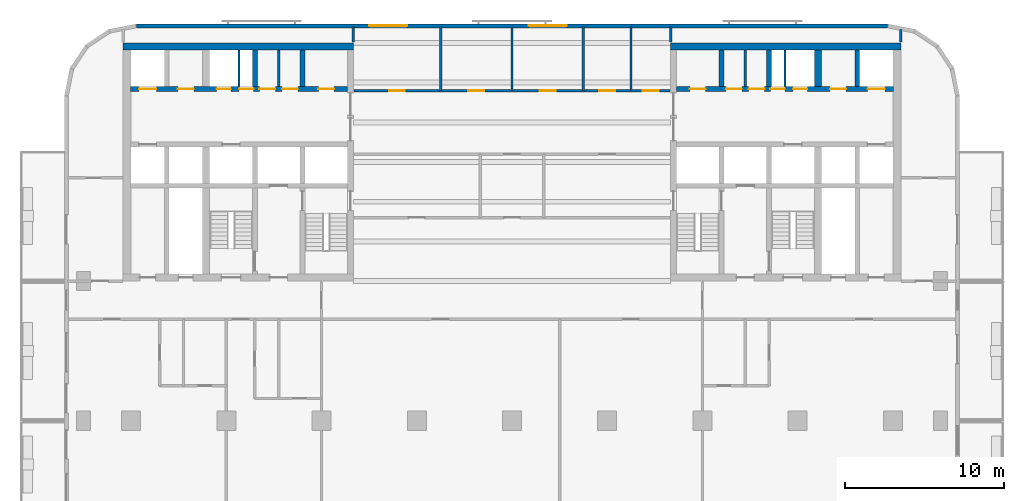
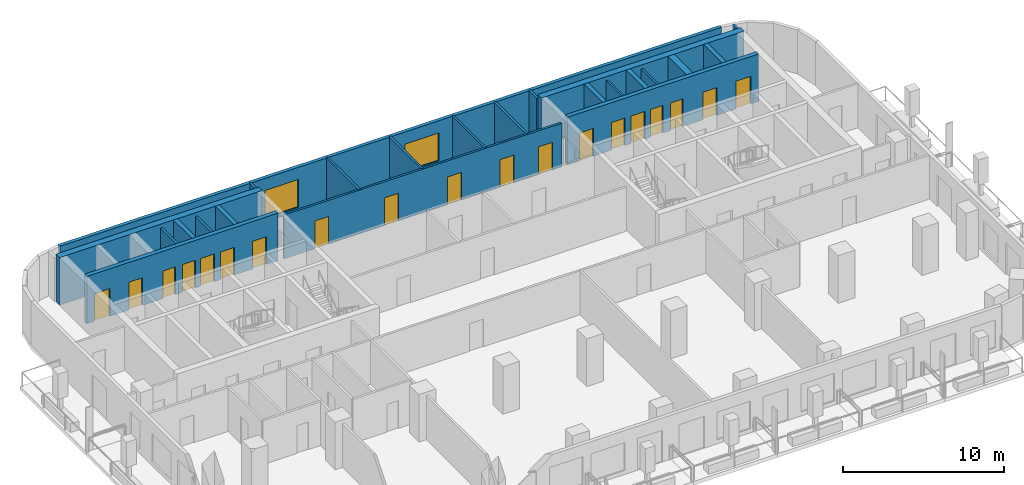
# One storey, part 6 of 11: 23 walls, 19 doors, 2 windows, 21 openings.
"""IFC4 building model written with IfcOpenShell, lengths in metres."""

from ifc_helpers import new_model, si_unit, direction, frame, frame_2d, origin, place, context, subcontext, project, spatial, rectangle, extrude, material, layer, layer_set, type_object, element, fill, save


model = new_model("IFC4")

# Units and contexts
model_context = context("Model", 3, precision=1e-05, world=origin(), true_north=direction((0.0, 1.0)))
body_context = subcontext(model_context, "Body", "Model", "MODEL_VIEW")
ifc_project = project(units=[si_unit("LENGTHUNIT", "METRE"), si_unit("AREAUNIT", "SQUARE_METRE"), si_unit("VOLUMEUNIT", "CUBIC_METRE"), si_unit("PLANEANGLEUNIT", "RADIAN"), si_unit("MASSUNIT", "GRAM", prefix="KILO")], contexts=[model_context])

# Site, building, storey
site_placement = place(None, origin())
site = spatial("IfcSite", under=ifc_project, at=site_placement, CompositionType="ELEMENT")
building_placement = place(site_placement, origin())
building = spatial("IfcBuilding", under=site, at=building_placement, Name="Torana Hotel and Residences", CompositionType="ELEMENT")
storey_placement = place(building_placement, frame((0.0, 0.0, 170.39990234375)))
storey = spatial("IfcBuildingStorey", under=building, at=storey_placement, Name="L44", CompositionType="ELEMENT", Elevation=170.39990234375)

# Wall, openings, doors
ifc_material_1 = material(Name="Concrete C70/85", Category="concrete")
ifc_layer_1 = layer(ifc_material_1, 0.300048828125)
ifc_layer_set_1 = layer_set([ifc_layer_1], Name="CORE WALL 300 C70/85")
wall_type_1 = type_object("IfcWallType", Name="CORE WALL 300 C70/85", PredefinedType="SHEAR", material=ifc_layer_set_1)
wall_1_placement = place(storey_placement, frame((-24.050048828125, -2.89990234375, 0.0), z_axis=(0.0, 0.0, 1.0), x_axis=(1.0, 0.0, 0.0)))
wall_1 = element("IfcWall", 1, at=wall_1_placement, inside=storey, type_object=wall_type_1, Name="Core wall W row-N", PredefinedType="SHEAR", context=body_context, shape_type="SweptSolid", body=[
    extrude(rectangle(XDim=13.699951171875, YDim=0.300048828125, at=frame_2d((6.85009765625, 0.0))), origin(), (0.0, 0.0, 1.0), 3.60009765625),
])
opening_1_placement = place(wall_1_placement, frame((0.550048828125, 0.0, 0.0)))
opening_1 = element("IfcOpeningElement", 2, at=opening_1_placement, cuts=wall_1, Name="Opening LD", PredefinedType="OPENING", context=body_context, shape_type="SweptSolid", body=[
    extrude(rectangle(XDim=1.10009765625, YDim=2.10009765625, at=frame_2d((0.550048828125, 1.050048828125))), frame((0.0, 0.159912109375, 0.0), z_axis=(0.0, -1.0, 0.0), x_axis=(1.0, 0.0, 0.0)), (0.0, 0.0, 1.0), 0.320068359375),
])
opening_2_placement = place(wall_1_placement, frame((6.862548828125, 0.0, 0.0)))
opening_2 = element("IfcOpeningElement", 3, at=opening_2_placement, cuts=wall_1, Name="Opening L44-08", PredefinedType="OPENING", context=body_context, shape_type="SweptSolid", body=[
    extrude(rectangle(XDim=0.89990234375, YDim=2.10009765625, at=frame_2d((0.449951171875, 1.050048828125))), frame((0.0, 0.159912109375, 0.0), z_axis=(0.0, -1.0, 0.0), x_axis=(1.0, 0.0, 0.0)), (0.0, 0.0, 1.0), 0.320068359375),
])
opening_3_placement = place(wall_1_placement, frame((5.4375, 0.0, 0.0)))
opening_3 = element("IfcOpeningElement", 4, at=opening_3_placement, cuts=wall_1, Name="Opening L44-09", PredefinedType="OPENING", context=body_context, shape_type="SweptSolid", body=[
    extrude(rectangle(XDim=0.89990234375, YDim=2.10009765625, at=frame_2d((0.449951171875, 1.050048828125))), frame((0.0, 0.159912109375, 0.0), z_axis=(0.0, -1.0, 0.0), x_axis=(1.0, 0.0, 0.0)), (0.0, 0.0, 1.0), 0.320068359375),
])
opening_4_placement = place(wall_1_placement, frame((11.85009765625, 0.0, 0.0)))
opening_4 = element("IfcOpeningElement", 5, at=opening_4_placement, cuts=wall_1, Name="Opening L44-10", PredefinedType="OPENING", context=body_context, shape_type="SweptSolid", body=[
    extrude(rectangle(XDim=1.0, YDim=2.10009765625, at=frame_2d((0.5, 1.050048828125))), frame((0.0, 0.159912109375, 0.0), z_axis=(0.0, -1.0, 0.0), x_axis=(1.0, 0.0, 0.0)), (0.0, 0.0, 1.0), 0.320068359375),
])
opening_5_placement = place(wall_1_placement, frame((9.5625, 0.0, 0.0)))
opening_5 = element("IfcOpeningElement", 6, at=opening_5_placement, cuts=wall_1, Name="Opening L44-11", PredefinedType="OPENING", context=body_context, shape_type="SweptSolid", body=[
    extrude(rectangle(XDim=1.0, YDim=2.10009765625, at=frame_2d((0.5, 1.050048828125))), frame((0.0, 0.159912109375, 0.0), z_axis=(0.0, -1.0, 0.0), x_axis=(1.0, 0.0, 0.0)), (0.0, 0.0, 1.0), 0.320068359375),
])
opening_6_placement = place(wall_1_placement, frame((8.137451171875, 0.0, 0.0)))
opening_6 = element("IfcOpeningElement", 7, at=opening_6_placement, cuts=wall_1, Name="Opening L44-12", PredefinedType="OPENING", context=body_context, shape_type="SweptSolid", body=[
    extrude(rectangle(XDim=1.0, YDim=2.10009765625, at=frame_2d((0.5, 1.050048828125))), frame((0.0, 0.159912109375, 0.0), z_axis=(0.0, -1.0, 0.0), x_axis=(1.0, 0.0, 0.0)), (0.0, 0.0, 1.0), 0.320068359375),
])
opening_7_placement = place(wall_1_placement, frame((3.0, 0.0, 0.0)))
opening_7 = element("IfcOpeningElement", 8, at=opening_7_placement, cuts=wall_1, Name="Opening L44-13", PredefinedType="OPENING", context=body_context, shape_type="SweptSolid", body=[
    extrude(rectangle(XDim=1.0, YDim=2.10009765625, at=frame_2d((0.5, 1.050048828125))), frame((0.0, 0.159912109375, 0.0), z_axis=(0.0, -1.0, 0.0), x_axis=(1.0, 0.0, 0.0)), (0.0, 0.0, 1.0), 0.320068359375),
])
ifc_material_2 = material(Name="Steel S235", Category="steel")
door_type_1 = type_object("IfcDoorType", Name="CORE ROOM FIRE DOOR D14 1000x2100", OperationType="SINGLE_SWING_LEFT", PredefinedType="DOOR", material=ifc_material_2)
door_1_placement = place(opening_4_placement, origin())
door_1 = element("IfcDoor", 9, at=door_1_placement, inside=storey, type_object=door_type_1, Name="N0 door L44", OperationType="SINGLE_SWING_RIGHT", OverallHeight=2.10009765625, OverallWidth=1.0, PredefinedType="DOOR", context=body_context, shape_type="SweptSolid", body=[
    extrude(rectangle(XDim=1.0, YDim=2.10009765625, at=frame_2d((0.5, 1.050048828125))), frame((0.0, 0.02490234375, 0.0), z_axis=(0.0, -1.0, 0.0), x_axis=(1.0, 0.0, 0.0)), (0.0, 0.0, 1.0), 0.050048828125),
])
fill(opening_4, door_1)
door_2_placement = place(opening_5_placement, origin())
door_2 = element("IfcDoor", 10, at=door_2_placement, inside=storey, type_object=door_type_1, Name="N1A door L44", OperationType="SINGLE_SWING_RIGHT", OverallHeight=2.10009765625, OverallWidth=1.0, PredefinedType="DOOR", context=body_context, shape_type="SweptSolid", body=[
    extrude(rectangle(XDim=1.0, YDim=2.10009765625, at=frame_2d((0.5, 1.050048828125))), frame((0.0, 0.02490234375, 0.0), z_axis=(0.0, -1.0, 0.0), x_axis=(1.0, 0.0, 0.0)), (0.0, 0.0, 1.0), 0.050048828125),
])
fill(opening_5, door_2)
door_3_placement = place(opening_6_placement, origin())
door_3 = element("IfcDoor", 11, at=door_3_placement, inside=storey, type_object=door_type_1, Name="N1B door L44", OperationType="SINGLE_SWING_RIGHT", OverallHeight=2.10009765625, OverallWidth=1.0, PredefinedType="DOOR", context=body_context, shape_type="SweptSolid", body=[
    extrude(rectangle(XDim=1.0, YDim=2.10009765625, at=frame_2d((0.5, 1.050048828125))), frame((0.0, 0.02490234375, 0.0), z_axis=(0.0, -1.0, 0.0), x_axis=(1.0, 0.0, 0.0)), (0.0, 0.0, 1.0), 0.050048828125),
])
fill(opening_6, door_3)
door_4_placement = place(opening_7_placement, origin())
door_4 = element("IfcDoor", 12, at=door_4_placement, inside=storey, type_object=door_type_1, Name="Freed-S1 door L44", OperationType="SINGLE_SWING_RIGHT", OverallHeight=2.10009765625, OverallWidth=1.0, PredefinedType="DOOR", context=body_context, shape_type="SweptSolid", body=[
    extrude(rectangle(XDim=1.0, YDim=2.10009765625, at=frame_2d((0.5, 1.050048828125))), frame((0.0, 0.02490234375, 0.0), z_axis=(0.0, -1.0, 0.0), x_axis=(1.0, 0.0, 0.0)), (0.0, 0.0, 1.0), 0.050048828125),
])
fill(opening_7, door_4)
ifc_material_3 = material(Name="Stainless steel 316", Category="steel")
door_type_2 = type_object("IfcDoorType", Name="LIFT LANDING DOOR LD 1100x2100", OperationType="DOUBLE_DOOR_SLIDING", PredefinedType="USERDEFINED", material=ifc_material_3)
door_5_placement = place(opening_1_placement, origin())
door_5 = element("IfcDoor", 13, at=door_5_placement, inside=storey, type_object=door_type_2, Name="Lift landing door M1 L44", ObjectType="LIFT LANDING DOOR", OperationType="DOUBLE_DOOR_SLIDING", OverallHeight=2.10009765625, OverallWidth=1.10009765625, PredefinedType="USERDEFINED", context=body_context, shape_type="SweptSolid", body=[
    extrude(rectangle(XDim=1.10009765625, YDim=2.10009765625, at=frame_2d((0.550048828125, 1.050048828125))), frame((0.0, 0.02490234375, 0.0), z_axis=(0.0, -1.0, 0.0), x_axis=(1.0, 0.0, 0.0)), (0.0, 0.0, 1.0), 0.050048828125),
])
fill(opening_1, door_5)
ifc_material_4 = material(Name="Steel S235", Category="steel")
door_type_3 = type_object("IfcDoorType", Name="RISER ACCESS DOOR D5 900x2100", OperationType="SINGLE_SWING_LEFT", PredefinedType="DOOR", material=ifc_material_4)
door_6_placement = place(opening_2_placement, origin())
door_6 = element("IfcDoor", 14, at=door_6_placement, inside=storey, type_object=door_type_3, Name="N2A door L44", OperationType="SINGLE_SWING_LEFT", OverallHeight=2.10009765625, OverallWidth=0.89990234375, PredefinedType="DOOR", context=body_context, shape_type="SweptSolid", body=[
    extrude(rectangle(XDim=0.89990234375, YDim=2.10009765625, at=frame_2d((0.449951171875, 1.050048828125))), frame((0.0, 0.02490234375, 0.0), z_axis=(0.0, -1.0, 0.0), x_axis=(1.0, 0.0, 0.0)), (0.0, 0.0, 1.0), 0.050048828125),
])
fill(opening_2, door_6)
door_7_placement = place(opening_3_placement, origin())
door_7 = element("IfcDoor", 15, at=door_7_placement, inside=storey, type_object=door_type_3, Name="N2B door L44", OperationType="SINGLE_SWING_RIGHT", OverallHeight=2.10009765625, OverallWidth=0.89990234375, PredefinedType="DOOR", context=body_context, shape_type="SweptSolid", body=[
    extrude(rectangle(XDim=0.89990234375, YDim=2.10009765625, at=frame_2d((0.449951171875, 1.050048828125))), frame((0.0, 0.02490234375, 0.0), z_axis=(0.0, -1.0, 0.0), x_axis=(1.0, 0.0, 0.0)), (0.0, 0.0, 1.0), 0.050048828125),
])
fill(opening_3, door_7)

# Walls
for number, where, z_axis, x_axis, name in (
    (16, (-13.199951171875, -2.75, 0.0), (0.0, 0.0, 1.0), (0.0, 1.0, 0.0), "Core wall W x3.05-N"),
    (17, (-16.199951171875, -2.75, 0.0), (0.0, 0.0, 1.0), (0.0, 1.0, 0.0), "Core wall W x6.05-N"),
):
    element("IfcWall", number, at=place(storey_placement, frame(where, z_axis=z_axis, x_axis=x_axis)), inside=storey, type_object=wall_type_1, Name=name, PredefinedType="SHEAR", context=body_context, shape_type="SweptSolid", body=[
        extrude(rectangle(XDim=2.300048828125, YDim=0.300048828125, at=frame_2d((1.14990234375, 0.0))), origin(), (0.0, 0.0, 1.0), 3.60009765625),
    ])

# Wall, openings, doors
wall_2_placement = place(storey_placement, frame((10.35009765625, -2.89990234375, 0.0), z_axis=(0.0, 0.0, 1.0), x_axis=(1.0, 0.0, 0.0)))
wall_2 = element("IfcWall", 18, at=wall_2_placement, inside=storey, type_object=wall_type_1, Name="Core wall E row-N", PredefinedType="SHEAR", context=body_context, shape_type="SweptSolid", body=[
    extrude(rectangle(XDim=13.699951171875, YDim=0.300048828125, at=frame_2d((6.85009765625, 0.0))), origin(), (0.0, 0.0, 1.0), 3.60009765625),
])
opening_8_placement = place(wall_2_placement, frame((12.050048828125, 0.0, 0.0)))
opening_8 = element("IfcOpeningElement", 19, at=opening_8_placement, cuts=wall_2, Name="Opening LD", PredefinedType="OPENING", context=body_context, shape_type="SweptSolid", body=[
    extrude(rectangle(XDim=1.10009765625, YDim=2.10009765625, at=frame_2d((0.550048828125, 1.050048828125))), frame((0.0, 0.159912109375, 0.0), z_axis=(0.0, -1.0, 0.0), x_axis=(1.0, 0.0, 0.0)), (0.0, 0.0, 1.0), 0.320068359375),
])
opening_9_placement = place(wall_2_placement, frame((5.9375, 0.0, 0.0)))
opening_9 = element("IfcOpeningElement", 20, at=opening_9_placement, cuts=wall_2, Name="Opening L44-23", PredefinedType="OPENING", context=body_context, shape_type="SweptSolid", body=[
    extrude(rectangle(XDim=0.89990234375, YDim=2.10009765625, at=frame_2d((0.449951171875, 1.050048828125))), frame((0.0, 0.159912109375, 0.0), z_axis=(0.0, -1.0, 0.0), x_axis=(1.0, 0.0, 0.0)), (0.0, 0.0, 1.0), 0.320068359375),
])
opening_10_placement = place(wall_2_placement, frame((7.362548828125, 0.0, 0.0)))
opening_10 = element("IfcOpeningElement", 21, at=opening_10_placement, cuts=wall_2, Name="Opening L44-24", PredefinedType="OPENING", context=body_context, shape_type="SweptSolid", body=[
    extrude(rectangle(XDim=0.89990234375, YDim=2.10009765625, at=frame_2d((0.449951171875, 1.050048828125))), frame((0.0, 0.159912109375, 0.0), z_axis=(0.0, -1.0, 0.0), x_axis=(1.0, 0.0, 0.0)), (0.0, 0.0, 1.0), 0.320068359375),
])
opening_11_placement = place(wall_2_placement, frame((0.85009765625, 0.0, 0.0)))
opening_11 = element("IfcOpeningElement", 22, at=opening_11_placement, cuts=wall_2, Name="Opening L44-25", PredefinedType="OPENING", context=body_context, shape_type="SweptSolid", body=[
    extrude(rectangle(XDim=1.0, YDim=2.10009765625, at=frame_2d((0.5, 1.050048828125))), frame((0.0, 0.159912109375, 0.0), z_axis=(0.0, -1.0, 0.0), x_axis=(1.0, 0.0, 0.0)), (0.0, 0.0, 1.0), 0.320068359375),
])
opening_12_placement = place(wall_2_placement, frame((3.137451171875, 0.0, 0.0)))
opening_12 = element("IfcOpeningElement", 23, at=opening_12_placement, cuts=wall_2, Name="Opening L44-26", PredefinedType="OPENING", context=body_context, shape_type="SweptSolid", body=[
    extrude(rectangle(XDim=1.0, YDim=2.10009765625, at=frame_2d((0.5, 1.050048828125))), frame((0.0, 0.159912109375, 0.0), z_axis=(0.0, -1.0, 0.0), x_axis=(1.0, 0.0, 0.0)), (0.0, 0.0, 1.0), 0.320068359375),
])
opening_13_placement = place(wall_2_placement, frame((4.5625, 0.0, 0.0)))
opening_13 = element("IfcOpeningElement", 24, at=opening_13_placement, cuts=wall_2, Name="Opening L44-27", PredefinedType="OPENING", context=body_context, shape_type="SweptSolid", body=[
    extrude(rectangle(XDim=1.0, YDim=2.10009765625, at=frame_2d((0.5, 1.050048828125))), frame((0.0, 0.159912109375, 0.0), z_axis=(0.0, -1.0, 0.0), x_axis=(1.0, 0.0, 0.0)), (0.0, 0.0, 1.0), 0.320068359375),
])
opening_14_placement = place(wall_2_placement, frame((9.699951171875, 0.0, 0.0)))
opening_14 = element("IfcOpeningElement", 25, at=opening_14_placement, cuts=wall_2, Name="Opening L44-28", PredefinedType="OPENING", context=body_context, shape_type="SweptSolid", body=[
    extrude(rectangle(XDim=1.0, YDim=2.10009765625, at=frame_2d((0.5, 1.050048828125))), frame((0.0, 0.159912109375, 0.0), z_axis=(0.0, -1.0, 0.0), x_axis=(1.0, 0.0, 0.0)), (0.0, 0.0, 1.0), 0.320068359375),
])
door_8_placement = place(opening_11_placement, origin())
door_8 = element("IfcDoor", 26, at=door_8_placement, inside=storey, type_object=door_type_1, Name="N0 door L44", OperationType="SINGLE_SWING_RIGHT", OverallHeight=2.10009765625, OverallWidth=1.0, PredefinedType="DOOR", context=body_context, shape_type="SweptSolid", body=[
    extrude(rectangle(XDim=1.0, YDim=2.10009765625, at=frame_2d((0.5, 1.050048828125))), frame((0.0, 0.02490234375, 0.0), z_axis=(0.0, -1.0, 0.0), x_axis=(1.0, 0.0, 0.0)), (0.0, 0.0, 1.0), 0.050048828125),
])
fill(opening_11, door_8)
door_9_placement = place(opening_12_placement, origin())
door_9 = element("IfcDoor", 27, at=door_9_placement, inside=storey, type_object=door_type_1, Name="N1A door L44", OperationType="SINGLE_SWING_RIGHT", OverallHeight=2.10009765625, OverallWidth=1.0, PredefinedType="DOOR", context=body_context, shape_type="SweptSolid", body=[
    extrude(rectangle(XDim=1.0, YDim=2.10009765625, at=frame_2d((0.5, 1.050048828125))), frame((0.0, 0.02490234375, 0.0), z_axis=(0.0, -1.0, 0.0), x_axis=(1.0, 0.0, 0.0)), (0.0, 0.0, 1.0), 0.050048828125),
])
fill(opening_12, door_9)
door_10_placement = place(opening_13_placement, origin())
door_10 = element("IfcDoor", 28, at=door_10_placement, inside=storey, type_object=door_type_1, Name="N1B door L44", OperationType="SINGLE_SWING_RIGHT", OverallHeight=2.10009765625, OverallWidth=1.0, PredefinedType="DOOR", context=body_context, shape_type="SweptSolid", body=[
    extrude(rectangle(XDim=1.0, YDim=2.10009765625, at=frame_2d((0.5, 1.050048828125))), frame((0.0, 0.02490234375, 0.0), z_axis=(0.0, -1.0, 0.0), x_axis=(1.0, 0.0, 0.0)), (0.0, 0.0, 1.0), 0.050048828125),
])
fill(opening_13, door_10)
door_11_placement = place(opening_14_placement, origin())
door_11 = element("IfcDoor", 29, at=door_11_placement, inside=storey, type_object=door_type_1, Name="Freed-S2 door L44", OperationType="SINGLE_SWING_RIGHT", OverallHeight=2.10009765625, OverallWidth=1.0, PredefinedType="DOOR", context=body_context, shape_type="SweptSolid", body=[
    extrude(rectangle(XDim=1.0, YDim=2.10009765625, at=frame_2d((0.5, 1.050048828125))), frame((0.0, 0.02490234375, 0.0), z_axis=(0.0, -1.0, 0.0), x_axis=(1.0, 0.0, 0.0)), (0.0, 0.0, 1.0), 0.050048828125),
])
fill(opening_14, door_11)
door_12_placement = place(opening_8_placement, origin())
door_12 = element("IfcDoor", 30, at=door_12_placement, inside=storey, type_object=door_type_2, Name="Lift landing door M3 L44", ObjectType="LIFT LANDING DOOR", OperationType="DOUBLE_DOOR_SLIDING", OverallHeight=2.10009765625, OverallWidth=1.10009765625, PredefinedType="USERDEFINED", context=body_context, shape_type="SweptSolid", body=[
    extrude(rectangle(XDim=1.10009765625, YDim=2.10009765625, at=frame_2d((0.550048828125, 1.050048828125))), frame((0.0, 0.02490234375, 0.0), z_axis=(0.0, -1.0, 0.0), x_axis=(1.0, 0.0, 0.0)), (0.0, 0.0, 1.0), 0.050048828125),
])
fill(opening_8, door_12)
door_13_placement = place(opening_9_placement, origin())
door_13 = element("IfcDoor", 31, at=door_13_placement, inside=storey, type_object=door_type_3, Name="N2A door L44", OperationType="SINGLE_SWING_RIGHT", OverallHeight=2.10009765625, OverallWidth=0.89990234375, PredefinedType="DOOR", context=body_context, shape_type="SweptSolid", body=[
    extrude(rectangle(XDim=0.89990234375, YDim=2.10009765625, at=frame_2d((0.449951171875, 1.050048828125))), frame((0.0, 0.02490234375, 0.0), z_axis=(0.0, -1.0, 0.0), x_axis=(1.0, 0.0, 0.0)), (0.0, 0.0, 1.0), 0.050048828125),
])
fill(opening_9, door_13)
door_14_placement = place(opening_10_placement, origin())
door_14 = element("IfcDoor", 32, at=door_14_placement, inside=storey, type_object=door_type_3, Name="N2B door L44", OperationType="SINGLE_SWING_RIGHT", OverallHeight=2.10009765625, OverallWidth=0.89990234375, PredefinedType="DOOR", context=body_context, shape_type="SweptSolid", body=[
    extrude(rectangle(XDim=0.89990234375, YDim=2.10009765625, at=frame_2d((0.449951171875, 1.050048828125))), frame((0.0, 0.02490234375, 0.0), z_axis=(0.0, -1.0, 0.0), x_axis=(1.0, 0.0, 0.0)), (0.0, 0.0, 1.0), 0.050048828125),
])
fill(opening_10, door_14)

# Walls
for number, where, z_axis, x_axis, name in (
    (33, (13.199951171875, -2.75, 0.0), (0.0, 0.0, 1.0), (0.0, 1.0, 0.0), "Core wall E x3.05-N"),
    (34, (16.199951171875, -2.75, 0.0), (0.0, 0.0, 1.0), (0.0, 1.0, 0.0), "Core wall E x6.05-N"),
    (35, (21.75, -2.75, 0.0), (0.0, 0.0, 1.0), (0.0, 1.0, 0.0), "Core wall E mm-N"),
):
    element("IfcWall", number, at=place(storey_placement, frame(where, z_axis=z_axis, x_axis=x_axis)), inside=storey, type_object=wall_type_1, Name=name, PredefinedType="SHEAR", context=body_context, shape_type="SweptSolid", body=[
        extrude(rectangle(XDim=2.300048828125, YDim=0.300048828125, at=frame_2d((1.14990234375, 0.0))), origin(), (0.0, 0.0, 1.0), 3.60009765625),
    ])
ifc_material_5 = material(Name="Concrete C70/85", Category="concrete")
ifc_layer_2 = layer(ifc_material_5, 0.449951171875)
ifc_layer_set_2 = layer_set([ifc_layer_2], Name="CORE WALL 450 C70/85")
wall_type_2 = type_object("IfcWallType", Name="CORE WALL 450 C70/85", PredefinedType="SHEAR", material=ifc_layer_set_2)
for number, where, z_axis, x_axis, name in (
    (36, (-24.5, -0.22509765625, 0.0), (0.0, 0.0, 1.0), (1.0, 0.0, 0.0), "Core wall W rear"),
    (37, (10.0, -0.22509765625, 0.0), (0.0, 0.0, 1.0), (1.0, 0.0, 0.0), "Core wall E rear"),
):
    element("IfcWall", number, at=place(storey_placement, frame(where, z_axis=z_axis, x_axis=x_axis)), inside=storey, type_object=wall_type_2, Name=name, PredefinedType="SHEAR", context=body_context, shape_type="SweptSolid", body=[
        extrude(rectangle(XDim=14.5, YDim=0.449951171875, at=frame_2d((7.25, 0.0))), origin(), (0.0, 0.0, 1.0), 3.60009765625),
    ])
wall_3_placement = place(storey_placement, frame((19.27490234375, -2.75, 0.0), z_axis=(0.0, 0.0, 1.0), x_axis=(0.0, 1.0, 0.0)))
element("IfcWall", 38, at=wall_3_placement, inside=storey, type_object=wall_type_2, Name="Core wall E hm-N", PredefinedType="SHEAR", context=body_context, shape_type="SweptSolid", body=[
    extrude(rectangle(XDim=2.300048828125, YDim=0.449951171875, at=frame_2d((1.14990234375, 0.0))), origin(), (0.0, 0.0, 1.0), 3.60009765625),
])

# Wall, openings, windows
ifc_material_6 = material(Name="Concrete C40/50 precast", Category="concrete")
ifc_layer_3 = layer(ifc_material_6, 0.10009765625, Name="Perforated block", Category="cladding")
ifc_material_7 = material(Name="Air cavity")
ifc_layer_4 = layer(ifc_material_7, 0.030029296875, Name="Cavity", Category="cavity")
ifc_material_8 = material(Name="Concrete C40/50", Category="concrete")
ifc_layer_5 = layer(ifc_material_8, 0.10009765625, Name="Wall", Category="structure")
ifc_material_9 = material(Name="Plaster and paint")
ifc_layer_6 = layer(ifc_material_9, 0.02001953125, Name="Inner finish", Category="finish")
ifc_layer_set_3 = layer_set([ifc_layer_3, ifc_layer_4, ifc_layer_5, ifc_layer_6], Name="EW2 PERFORATED BLOCK SCREEN WALL 250")
wall_type_3 = type_object("IfcWallType", Name="EW2 PERFORATED BLOCK SCREEN WALL 250", PredefinedType="SOLIDWALL", material=ifc_layer_set_3)
wall_4_placement = place(storey_placement, frame((23.67529296875, 1.074951171875, 0.0), z_axis=(0.0, 0.0, 1.0), x_axis=(-1.0, 0.0, 0.0)))
wall_4 = element("IfcWall", 39, at=wall_4_placement, inside=storey, type_object=wall_type_3, Name="External wall L44 e0.4", PredefinedType="SOLIDWALL", context=body_context, shape_type="SweptSolid", body=[
    extrude(rectangle(XDim=47.3505859375, YDim=0.25, at=frame_2d((23.67529296875, 0.0))), origin(), (0.0, 0.0, 1.0), 3.320068359375),
])
opening_15_placement = place(wall_4_placement, frame((20.225341796875, 0.0, 0.300048828125)))
opening_15 = element("IfcOpeningElement", 40, at=opening_15_placement, cuts=wall_4, Name="Opening W1", PredefinedType="OPENING", context=body_context, shape_type="SweptSolid", body=[
    extrude(rectangle(XDim=2.39990234375, YDim=2.10009765625, at=frame_2d((1.199951171875, 1.050048828125))), frame((0.0, 0.135009765625, 0.0), z_axis=(0.0, -1.0, 0.0), x_axis=(1.0, 0.0, 0.0)), (0.0, 0.0, 1.0), 0.27001953125),
])
opening_16_placement = place(wall_4_placement, frame((30.275390625, 0.0, 0.300048828125)))
opening_16 = element("IfcOpeningElement", 41, at=opening_16_placement, cuts=wall_4, Name="Opening W1", PredefinedType="OPENING", context=body_context, shape_type="SweptSolid", body=[
    extrude(rectangle(XDim=2.39990234375, YDim=2.10009765625, at=frame_2d((1.199951171875, 1.050048828125))), frame((0.0, 0.135009765625, 0.0), z_axis=(0.0, -1.0, 0.0), x_axis=(1.0, 0.0, 0.0)), (0.0, 0.0, 1.0), 0.27001953125),
])
ifc_material_10 = material(Name="Dark glass in black aluminium frame", Category="aluminium")
window_type = type_object("IfcWindowType", Name="W1 HOTEL ROOM WINDOW 2400x2100", PartitioningType="SINGLE_PANEL", PredefinedType="WINDOW", material=ifc_material_10)
window_1_placement = place(opening_15_placement, origin())
window_1 = element("IfcWindow", 42, at=window_1_placement, inside=storey, type_object=window_type, Name="Window L44", OverallHeight=2.10009765625, OverallWidth=2.39990234375, PartitioningType="SINGLE_PANEL", PredefinedType="WINDOW", context=body_context, shape_type="SweptSolid", body=[
    extrude(rectangle(XDim=2.39990234375, YDim=2.10009765625, at=frame_2d((1.199951171875, 1.050048828125))), frame((0.0, 0.030029296875, 0.0), z_axis=(0.0, -1.0, 0.0), x_axis=(1.0, 0.0, 0.0)), (0.0, 0.0, 1.0), 0.06005859375),
])
fill(opening_15, window_1)
window_2_placement = place(opening_16_placement, origin())
window_2 = element("IfcWindow", 43, at=window_2_placement, inside=storey, type_object=window_type, Name="Window L44", OverallHeight=2.10009765625, OverallWidth=2.39990234375, PartitioningType="SINGLE_PANEL", PredefinedType="WINDOW", context=body_context, shape_type="SweptSolid", body=[
    extrude(rectangle(XDim=2.39990234375, YDim=2.10009765625, at=frame_2d((1.199951171875, 1.050048828125))), frame((0.0, 0.030029296875, 0.0), z_axis=(0.0, -1.0, 0.0), x_axis=(1.0, 0.0, 0.0)), (0.0, 0.0, 1.0), 0.06005859375),
])
fill(opening_16, window_2)

# Walls
ifc_material_11 = material(Name="Gypsum plaster")
ifc_layer_7 = layer(ifc_material_11, 0.014892578125, Name="Plaster", Category="finish")
ifc_material_12 = material(Name="Concrete blockwork", Category="masonry")
ifc_layer_8 = layer(ifc_material_12, 0.1201171875, Name="Blockwork", Category="structure")
ifc_layer_9 = layer(ifc_material_11, 0.014892578125, Name="Plaster", Category="finish")
ifc_layer_set_4 = layer_set([ifc_layer_7, ifc_layer_8, ifc_layer_9], Name="FIRE PARTITION 150 BLOCKWORK")
wall_type_4 = type_object("IfcWallType", Name="FIRE PARTITION 150 BLOCKWORK", PredefinedType="PARTITIONING", material=ifc_layer_set_4)
for number, where, z_axis, x_axis, name in (
    (44, (-17.199951171875, -2.75, 0.0), (0.0, 0.0, 1.0), (0.0, 1.0, 0.0), "Core partition L44"),
    (45, (-14.699951171875, -2.75, 0.0), (0.0, 0.0, 1.0), (0.0, 1.0, 0.0), "Core partition L44"),
    (46, (17.199951171875, -2.75, 0.0), (0.0, 0.0, 1.0), (0.0, 1.0, 0.0), "Core partition L44"),
    (47, (14.699951171875, -2.75, 0.0), (0.0, 0.0, 1.0), (0.0, 1.0, 0.0), "Core partition L44"),
):
    element("IfcWall", number, at=place(storey_placement, frame(where, z_axis=z_axis, x_axis=x_axis)), inside=storey, type_object=wall_type_4, Name=name, PredefinedType="PARTITIONING", context=body_context, shape_type="SweptSolid", body=[
        extrude(rectangle(XDim=2.300048828125, YDim=0.14990234375, at=frame_2d((1.14990234375, 0.0))), origin(), (0.0, 0.0, 1.0), 3.300048828125),
    ])

# Wall, openings, doors
wall_5_placement = place(storey_placement, frame((-9.949951171875, -3.0, 0.0), z_axis=(0.0, 0.0, 1.0), x_axis=(1.0, 0.0, 0.0)))
wall_5 = element("IfcWall", 48, at=wall_5_placement, inside=storey, type_object=wall_type_4, Name="Partition L44", PredefinedType="PARTITIONING", context=body_context, shape_type="SweptSolid", body=[
    extrude(rectangle(XDim=19.89990234375, YDim=0.14990234375, at=frame_2d((9.949951171875, 0.0))), origin(), (0.0, 0.0, 1.0), 3.320068359375),
])
opening_17_placement = place(wall_5_placement, frame((2.199951171875, 0.0, 0.0)))
opening_17 = element("IfcOpeningElement", 49, at=opening_17_placement, cuts=wall_5, Name="Opening L44-44", PredefinedType="OPENING", context=body_context, shape_type="SweptSolid", body=[
    extrude(rectangle(XDim=1.0, YDim=2.10009765625, at=frame_2d((0.5, 1.050048828125))), frame((0.0, 0.0849609375, 0.0), z_axis=(0.0, -1.0, 0.0), x_axis=(1.0, 0.0, 0.0)), (0.0, 0.0, 1.0), 0.169921875),
])
opening_18_placement = place(wall_5_placement, frame((7.199951171875, 0.0, 0.0)))
opening_18 = element("IfcOpeningElement", 50, at=opening_18_placement, cuts=wall_5, Name="Opening L44-45", PredefinedType="OPENING", context=body_context, shape_type="SweptSolid", body=[
    extrude(rectangle(XDim=1.0, YDim=2.10009765625, at=frame_2d((0.5, 1.050048828125))), frame((0.0, 0.0849609375, 0.0), z_axis=(0.0, -1.0, 0.0), x_axis=(1.0, 0.0, 0.0)), (0.0, 0.0, 1.0), 0.169921875),
])
opening_19_placement = place(wall_5_placement, frame((11.699951171875, 0.0, 0.0)))
opening_19 = element("IfcOpeningElement", 51, at=opening_19_placement, cuts=wall_5, Name="Opening L44-46", PredefinedType="OPENING", context=body_context, shape_type="SweptSolid", body=[
    extrude(rectangle(XDim=1.0, YDim=2.10009765625, at=frame_2d((0.5, 1.050048828125))), frame((0.0, 0.0849609375, 0.0), z_axis=(0.0, -1.0, 0.0), x_axis=(1.0, 0.0, 0.0)), (0.0, 0.0, 1.0), 0.169921875),
])
opening_20_placement = place(wall_5_placement, frame((15.449951171875, 0.0, 0.0)))
opening_20 = element("IfcOpeningElement", 52, at=opening_20_placement, cuts=wall_5, Name="Opening L44-47", PredefinedType="OPENING", context=body_context, shape_type="SweptSolid", body=[
    extrude(rectangle(XDim=1.0, YDim=2.10009765625, at=frame_2d((0.5, 1.050048828125))), frame((0.0, 0.0849609375, 0.0), z_axis=(0.0, -1.0, 0.0), x_axis=(1.0, 0.0, 0.0)), (0.0, 0.0, 1.0), 0.169921875),
])
opening_21_placement = place(wall_5_placement, frame((18.199951171875, 0.0, 0.0)))
opening_21 = element("IfcOpeningElement", 53, at=opening_21_placement, cuts=wall_5, Name="Opening L44-48", PredefinedType="OPENING", context=body_context, shape_type="SweptSolid", body=[
    extrude(rectangle(XDim=1.0, YDim=2.10009765625, at=frame_2d((0.5, 1.050048828125))), frame((0.0, 0.0849609375, 0.0), z_axis=(0.0, -1.0, 0.0), x_axis=(1.0, 0.0, 0.0)), (0.0, 0.0, 1.0), 0.169921875),
])
ifc_material_13 = material(Name="Steel S235", Category="steel")
door_type_4 = type_object("IfcDoorType", Name="ENTRY FIRE DOOR D6 1000x2100", OperationType="SINGLE_SWING_LEFT", PredefinedType="DOOR", material=ifc_material_13)
door_15_placement = place(opening_17_placement, origin())
door_15 = element("IfcDoor", 54, at=door_15_placement, inside=storey, type_object=door_type_4, Name="Door L44", OperationType="SINGLE_SWING_RIGHT", OverallHeight=2.10009765625, OverallWidth=1.0, PredefinedType="DOOR", context=body_context, shape_type="SweptSolid", body=[
    extrude(rectangle(XDim=1.0, YDim=2.10009765625, at=frame_2d((0.5, 1.050048828125))), frame((0.0, 0.02490234375, 0.0), z_axis=(0.0, -1.0, 0.0), x_axis=(1.0, 0.0, 0.0)), (0.0, 0.0, 1.0), 0.050048828125),
])
fill(opening_17, door_15)
door_16_placement = place(opening_18_placement, origin())
door_16 = element("IfcDoor", 55, at=door_16_placement, inside=storey, type_object=door_type_4, Name="Door L44", OperationType="SINGLE_SWING_RIGHT", OverallHeight=2.10009765625, OverallWidth=1.0, PredefinedType="DOOR", context=body_context, shape_type="SweptSolid", body=[
    extrude(rectangle(XDim=1.0, YDim=2.10009765625, at=frame_2d((0.5, 1.050048828125))), frame((0.0, 0.02490234375, 0.0), z_axis=(0.0, -1.0, 0.0), x_axis=(1.0, 0.0, 0.0)), (0.0, 0.0, 1.0), 0.050048828125),
])
fill(opening_18, door_16)
door_17_placement = place(opening_19_placement, origin())
door_17 = element("IfcDoor", 56, at=door_17_placement, inside=storey, type_object=door_type_4, Name="Door L44", OperationType="SINGLE_SWING_RIGHT", OverallHeight=2.10009765625, OverallWidth=1.0, PredefinedType="DOOR", context=body_context, shape_type="SweptSolid", body=[
    extrude(rectangle(XDim=1.0, YDim=2.10009765625, at=frame_2d((0.5, 1.050048828125))), frame((0.0, 0.02490234375, 0.0), z_axis=(0.0, -1.0, 0.0), x_axis=(1.0, 0.0, 0.0)), (0.0, 0.0, 1.0), 0.050048828125),
])
fill(opening_19, door_17)
door_18_placement = place(opening_20_placement, origin())
door_18 = element("IfcDoor", 57, at=door_18_placement, inside=storey, type_object=door_type_4, Name="Door L44", OperationType="SINGLE_SWING_RIGHT", OverallHeight=2.10009765625, OverallWidth=1.0, PredefinedType="DOOR", context=body_context, shape_type="SweptSolid", body=[
    extrude(rectangle(XDim=1.0, YDim=2.10009765625, at=frame_2d((0.5, 1.050048828125))), frame((0.0, 0.02490234375, 0.0), z_axis=(0.0, -1.0, 0.0), x_axis=(1.0, 0.0, 0.0)), (0.0, 0.0, 1.0), 0.050048828125),
])
fill(opening_20, door_18)
door_19_placement = place(opening_21_placement, origin())
door_19 = element("IfcDoor", 58, at=door_19_placement, inside=storey, type_object=door_type_4, Name="Door L44", OperationType="SINGLE_SWING_RIGHT", OverallHeight=2.10009765625, OverallWidth=1.0, PredefinedType="DOOR", context=body_context, shape_type="SweptSolid", body=[
    extrude(rectangle(XDim=1.0, YDim=2.10009765625, at=frame_2d((0.5, 1.050048828125))), frame((0.0, 0.02490234375, 0.0), z_axis=(0.0, -1.0, 0.0), x_axis=(1.0, 0.0, 0.0)), (0.0, 0.0, 1.0), 0.050048828125),
])
fill(opening_21, door_19)

# Walls
ifc_material_14 = material(Name="Gypsum plasterboard")
ifc_layer_10 = layer(ifc_material_14, 0.012451171875, Name="Plasterboard", Category="finish")
ifc_layer_11 = layer(ifc_material_14, 0.012451171875, Name="Plasterboard", Category="finish")
ifc_material_15 = material(Name="Steel S280GD", Category="steel")
ifc_layer_12 = layer(ifc_material_15, 0.10009765625, Name="Steel studs with mineral wool", Category="insulation")
ifc_layer_13 = layer(ifc_material_14, 0.012451171875, Name="Plasterboard", Category="finish")
ifc_layer_14 = layer(ifc_material_14, 0.012451171875, Name="Plasterboard", Category="finish")
ifc_layer_set_5 = layer_set([ifc_layer_10, ifc_layer_11, ifc_layer_12, ifc_layer_13, ifc_layer_14], Name="PARTITION 150 PLASTERBOARD")
wall_type_5 = type_object("IfcWallType", Name="PARTITION 150 PLASTERBOARD", PredefinedType="PARTITIONING", material=ifc_layer_set_5)
wall_6_placement = place(storey_placement, frame((24.5, 0.050048828125, 0.0), z_axis=(0.0, 0.0, 1.0), x_axis=(0.0, 1.0, 0.0)))
element("IfcWall", 59, at=wall_6_placement, inside=storey, type_object=wall_type_5, Name="Partition L44", PredefinedType="PARTITIONING", context=body_context, shape_type="SweptSolid", body=[
    extrude(rectangle(XDim=0.807373046875, YDim=0.14990234375, at=frame_2d((0.40380859375, 0.0))), origin(), (0.0, 0.0, 1.0), 3.320068359375),
])
for number, where, z_axis, x_axis, name in (
    (60, (0.0, -3.0, 0.0), (0.0, 0.0, 1.0), (0.0, 1.0, 0.0), "Partition L44"),
    (61, (-4.5, -3.0, 0.0), (0.0, 0.0, 1.0), (0.0, 1.0, 0.0), "Partition L44"),
):
    element("IfcWall", number, at=place(storey_placement, frame(where, z_axis=z_axis, x_axis=x_axis)), inside=storey, type_object=wall_type_5, Name=name, PredefinedType="PARTITIONING", context=body_context, shape_type="SweptSolid", body=[
        extrude(rectangle(XDim=4.02001953125, YDim=0.14990234375, at=frame_2d((2.010009765625, 0.0))), origin(), (0.0, 0.0, 1.0), 3.320068359375),
    ])
wall_7_placement = place(storey_placement, frame((-10.0, 0.050048828125, 0.0), z_axis=(0.0, 0.0, 1.0), x_axis=(0.0, 1.0, 0.0)))
element("IfcWall", 62, at=wall_7_placement, inside=storey, type_object=wall_type_5, Name="Partition L44", PredefinedType="PARTITIONING", context=body_context, shape_type="SweptSolid", body=[
    extrude(rectangle(XDim=0.969970703125, YDim=0.14990234375, at=frame_2d((0.48486328125, 0.0))), origin(), (0.0, 0.0, 1.0), 3.320068359375),
])
ifc_material_16 = material(Name="Ceramic tile on adhesive")
ifc_layer_15 = layer(ifc_material_16, 0.010009765625, Name="Wall tile", Category="finish")
ifc_material_17 = material(Name="Cement render")
ifc_layer_16 = layer(ifc_material_17, 0.010009765625, Name="Render", Category="finish")
ifc_layer_17 = layer(ifc_material_12, 0.110107421875, Name="Blockwork", Category="structure")
ifc_layer_18 = layer(ifc_material_17, 0.010009765625, Name="Render", Category="finish")
ifc_layer_19 = layer(ifc_material_16, 0.010009765625, Name="Wall tile", Category="finish")
ifc_layer_set_6 = layer_set([ifc_layer_15, ifc_layer_16, ifc_layer_17, ifc_layer_18, ifc_layer_19], Name="WC PARTITION 150")
wall_type_6 = type_object("IfcWallType", Name="WC PARTITION 150", PredefinedType="PLUMBINGWALL", material=ifc_layer_set_6)
wall_8_placement = place(storey_placement, frame((10.0, 0.050048828125, 0.0), z_axis=(0.0, 0.0, 1.0), x_axis=(0.0, 1.0, 0.0)))
element("IfcWall", 63, at=wall_8_placement, inside=storey, type_object=wall_type_6, Name="Partition L44", PredefinedType="PLUMBINGWALL", context=body_context, shape_type="SweptSolid", body=[
    extrude(rectangle(XDim=0.969970703125, YDim=0.14990234375, at=frame_2d((0.48486328125, 0.0))), origin(), (0.0, 0.0, 1.0), 3.320068359375),
])
for number, where, z_axis, x_axis, name in (
    (64, (7.5, -3.0, 0.0), (0.0, 0.0, 1.0), (0.0, 1.0, 0.0), "Partition L44"),
    (65, (4.5, -3.0, 0.0), (0.0, 0.0, 1.0), (0.0, 1.0, 0.0), "Partition L44"),
):
    element("IfcWall", number, at=place(storey_placement, frame(where, z_axis=z_axis, x_axis=x_axis)), inside=storey, type_object=wall_type_6, Name=name, PredefinedType="PLUMBINGWALL", context=body_context, shape_type="SweptSolid", body=[
        extrude(rectangle(XDim=4.02001953125, YDim=0.14990234375, at=frame_2d((2.010009765625, 0.0))), origin(), (0.0, 0.0, 1.0), 3.320068359375),
    ])

save(model, "model.ifc")
